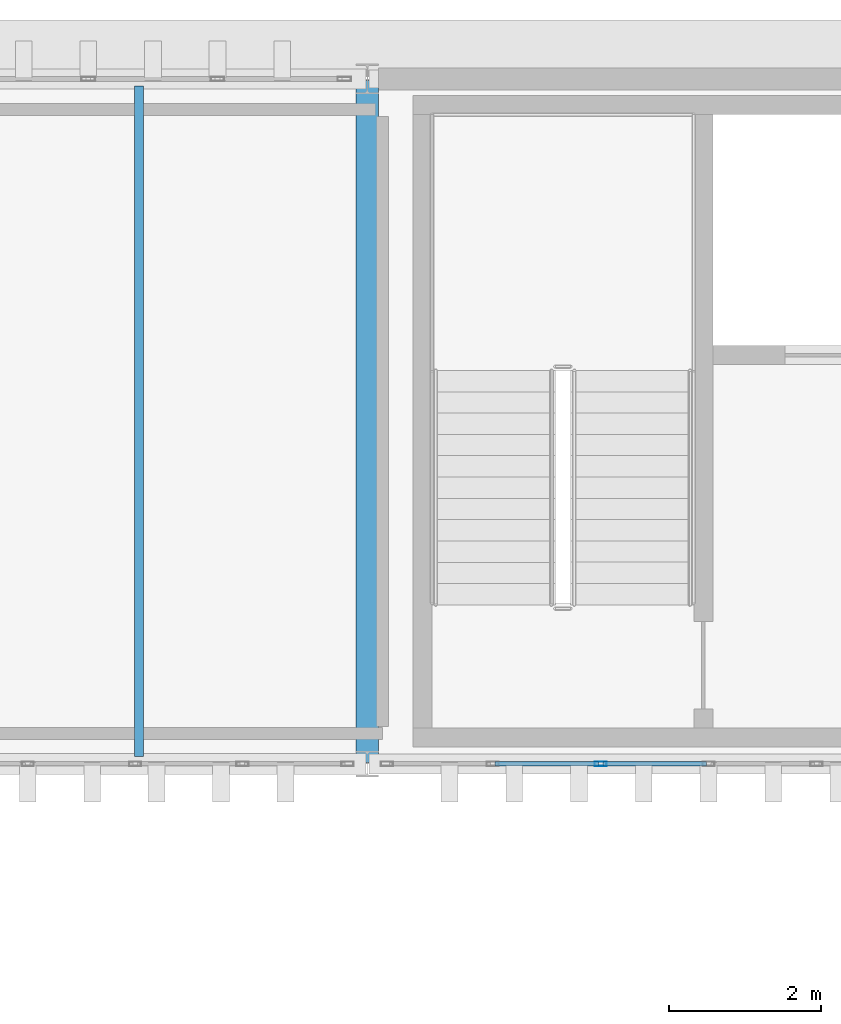
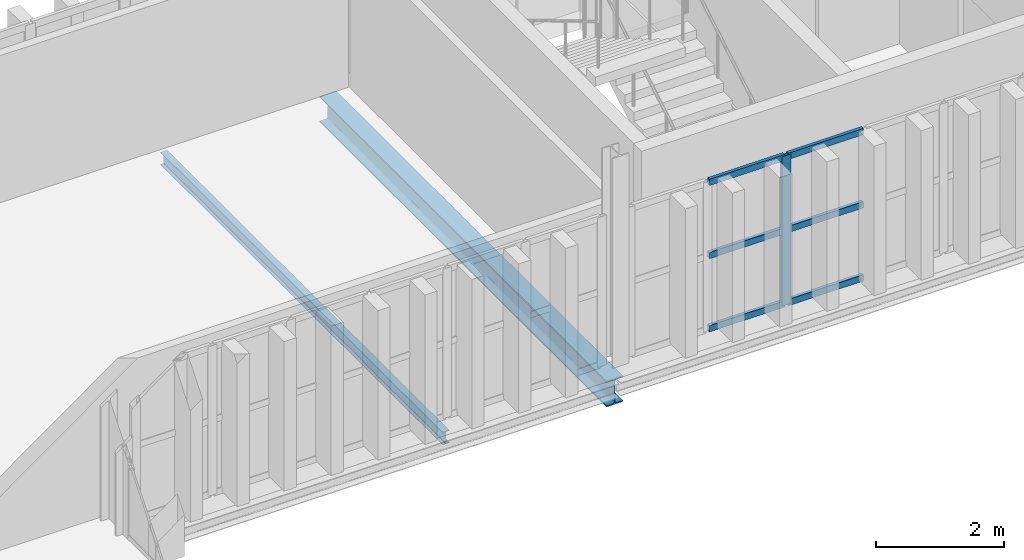
# One storey, part 58 of 102: 7 members, 2 beams, 1 element without a shape of its own.
"""IFC4 building model written with IfcOpenShell, lengths in metres."""

import ifcopenshell
import ifcopenshell.guid

model = None  # the IFC model being written
_history = None  # IfcOwnerHistory: only IFC2X3 demands one
_inside = {}  # id of a spatial element -> (the spatial element, [elements in it])
_under = {}  # id of a project, library or spatial element -> (it, [spatial elements below it])
_declared = {}  # id of a project -> (the project, [libraries it declares])
_typed = {}  # id of a type object -> (the type object, [elements of that type])
_made_of = {}  # id of a material, layer set ... -> (it, [elements and type objects made of it])


def new_model(schema):
    """Start an empty IFC model of exactly this schema.

    Asked for "IFC4X3", IfcOpenShell would pick the latest addendum, in which some entities
    have other attributes; the version numbers below select the first issue.
    IFC2X3 requires an IfcOwnerHistory on every rooted entity: one is made here for all.
    """
    global model, _history
    if schema == "IFC4X3":
        model = ifcopenshell.file(schema_version=(4, 3, 0, 0))
    else:
        model = ifcopenshell.file(schema=schema)
    _inside.clear()
    _under.clear()
    _declared.clear()
    _typed.clear()
    _made_of.clear()
    _history = None
    if model.schema == "IFC2X3":
        org = make("IfcOrganization", Name="unknown")
        user = make(
            "IfcPersonAndOrganization",
            ThePerson=make("IfcPerson", FamilyName="unknown"),
            TheOrganization=org,
        )
        app = make(
            "IfcApplication",
            ApplicationDeveloper=org,
            Version="unknown",
            ApplicationFullName="unknown",
            ApplicationIdentifier="unknown",
        )
        _history = make(
            "IfcOwnerHistory",
            OwningUser=user,
            OwningApplication=app,
            ChangeAction="ADDED",
            CreationDate=0,
        )
    return model


def make(cls, **values):
    """One entity of the class cls with the attributes given. An attribute that is None is left unset."""
    return model.create_entity(
        cls, **{name: value for name, value in values.items() if value is not None}
    )


def rooted(cls, **values):
    """An entity with a GlobalId (a new one), such as an element, a storey or a relation."""
    return make(cls, GlobalId=ifcopenshell.guid.new(), OwnerHistory=_history, **values)


def si_unit(unit_type, name, prefix=None):
    """IfcSIUnit, for example si_unit("LENGTHUNIT", "METRE", prefix="MILLI")."""
    return make("IfcSIUnit", UnitType=unit_type, Prefix=prefix, Name=name)


def assignment(units):
    """IfcUnitAssignment: the units of a project."""
    return None if units is None else make("IfcUnitAssignment", Units=units)


def point(xyz):
    """IfcCartesianPoint."""
    return None if xyz is None else make("IfcCartesianPoint", Coordinates=xyz)


def direction(xyz):
    """IfcDirection."""
    return None if xyz is None else make("IfcDirection", DirectionRatios=xyz)


def frame(location, z_axis=None, x_axis=None):
    """IfcAxis2Placement3D, a coordinate frame: its origin and axes. An axis left out is left unset."""
    return make(
        "IfcAxis2Placement3D",
        Location=point(location),
        Axis=direction(z_axis),
        RefDirection=direction(x_axis),
    )


def frame_2d(location, x_axis=None):
    """IfcAxis2Placement2D, a coordinate frame in the plane: its origin and x axis."""
    return make(
        "IfcAxis2Placement2D", Location=point(location), RefDirection=direction(x_axis)
    )


def origin():
    """The frame at (0, 0, 0) with its axes left unset."""
    return frame((0.0, 0.0, 0.0))


def origin_2d():
    """The frame at (0, 0) in the plane with its x axis left unset."""
    return frame_2d((0.0, 0.0))


def place(relative_to, where):
    """IfcLocalPlacement: puts the frame where relative to a parent placement (None: the world)."""
    return make(
        "IfcLocalPlacement", PlacementRelTo=relative_to, RelativePlacement=where
    )


def context(
    kind, dimensions, precision=None, world=None, true_north=None, identifier=None
):
    """IfcGeometricRepresentationContext, for example the 3D "Model" context."""
    return make(
        "IfcGeometricRepresentationContext",
        ContextIdentifier=identifier,
        ContextType=kind,
        CoordinateSpaceDimension=dimensions,
        Precision=precision,
        WorldCoordinateSystem=world,
        TrueNorth=true_north,
    )


def subcontext(parent, identifier, kind, view, scale=None):
    """IfcGeometricRepresentationSubContext, for example "Body" below "Model"."""
    return make(
        "IfcGeometricRepresentationSubContext",
        ContextIdentifier=identifier,
        ContextType=kind,
        ParentContext=parent,
        TargetScale=scale,
        TargetView=view,
    )


def project(units=None, contexts=None):
    """IfcProject with its units and contexts."""
    return rooted(
        "IfcProject",
        Name="project",
        RepresentationContexts=contexts,
        UnitsInContext=assignment(units),
    )


def spatial(cls, under=None, at=None, **own):
    """A site, building, storey or space (cls), placed at a placement, below another one or the project."""
    s = rooted(cls, ObjectPlacement=at, **own)
    if under is not None:
        _under.setdefault(under.id(), (under, []))[1].append(s)
    return s


def profile(cls, at=None, kind="AREA", **sizes):
    """A parametric profile (cls). Its sizes go by their IFC names, for example OverallWidth=200.0."""
    return make(cls, ProfileType=kind, Position=at, **sizes)


def hollow_rectangle(**sizes):
    """IfcRectangleHollowProfileDef."""
    return profile("IfcRectangleHollowProfileDef", **sizes)


def i_section(**sizes):
    """IfcIShapeProfileDef."""
    return profile("IfcIShapeProfileDef", **sizes)


def extrude(swept, where, along, depth):
    """IfcExtrudedAreaSolid: the profile swept, set in the frame where, extruded along a direction by depth."""
    return make(
        "IfcExtrudedAreaSolid",
        SweptArea=swept,
        Position=where,
        ExtrudedDirection=direction(along),
        Depth=depth,
    )


def shape(context_of_items, identifier, shape_type, items):
    """IfcShapeRepresentation: the items that make up one representation, for example the "Body"."""
    return make(
        "IfcShapeRepresentation",
        ContextOfItems=context_of_items,
        RepresentationIdentifier=identifier,
        RepresentationType=shape_type,
        Items=items,
    )


def material(Name=None, Category=None):
    """IfcMaterial."""
    return make("IfcMaterial", Name=Name, Category=Category)


def layer(
    of_material, thickness, ventilated=None, Name=None, Category=None, Priority=None
):
    """IfcMaterialLayer: one layer of a wall or slab, of a material (None: an air gap)."""
    return make(
        "IfcMaterialLayer",
        Material=of_material,
        LayerThickness=thickness,
        IsVentilated=ventilated,
        Name=Name,
        Category=Category,
        Priority=Priority,
    )


def layer_set(layers, Name=None):
    """IfcMaterialLayerSet."""
    return make("IfcMaterialLayerSet", MaterialLayers=layers, LayerSetName=Name)


def material_profile(
    of_material, cross_section, Name=None, Category=None, Priority=None
):
    """IfcMaterialProfile: a cross section and its material."""
    return make(
        "IfcMaterialProfile",
        Name=Name,
        Material=of_material,
        Profile=cross_section,
        Priority=Priority,
        Category=Category,
    )


def profile_set(profiles, Name=None, composite=None):
    """IfcMaterialProfileSet."""
    return make(
        "IfcMaterialProfileSet",
        Name=Name,
        MaterialProfiles=profiles,
        CompositeProfile=composite,
    )


def made_of(thing, what):
    """Note that an element or type object is made of a material, layer set ...; save() writes the relation."""
    if what is not None:
        _made_of.setdefault(what.id(), (what, []))[1].append(thing)
    return thing


def type_object(cls, material=None, **own):
    """A type object (cls), such as IfcWallType, which elements share."""
    return made_of(rooted(cls, **own), material)


def element(
    cls,
    number,
    at=None,
    inside=None,
    cuts=None,
    type_object=None,
    material=None,
    context=None,
    identifier="Body",
    shape_type=None,
    held_by="IfcProductDefinitionShape",
    body=None,
    shapes=None,
    **own,
):
    """One element of the class cls, such as IfcWall. Its Tag is "e" and its number.

    at: its placement. inside: the storey or other place that contains it. cuts: it is an
    opening in that element (IfcRelVoidsElement). A single representation is given by context,
    identifier, shape_type and body (its items); several are given by shapes. held_by: the class
    of the entity that holds the representations. save() writes the other relations.
    """
    e = rooted(cls, Tag="e%d" % number, ObjectPlacement=at, **own)
    if body is not None:
        shapes = [shape(context, identifier, shape_type, body)]
    if shapes is not None:
        e.Representation = make(held_by, Representations=shapes)
    if inside is not None:
        _inside.setdefault(inside.id(), (inside, []))[1].append(e)
    if cuts is not None:
        rooted(
            "IfcRelVoidsElement", RelatingBuildingElement=cuts, RelatedOpeningElement=e
        )
    if type_object is not None:
        _typed.setdefault(type_object.id(), (type_object, []))[1].append(e)
    return made_of(e, material)


def aggregate(whole, parts):
    """IfcRelAggregates: a whole, such as a stair, and the parts it consists of."""
    return rooted("IfcRelAggregates", RelatingObject=whole, RelatedObjects=parts)


def save(model, path):
    """Write the relations noted so far, then the file.

    IfcRelAggregates (storeys below a building ...), IfcRelContainedInSpatialStructure (elements
    in a storey), IfcRelDefinesByType, IfcRelAssociatesMaterial and IfcRelDeclares: one each for
    every whole, place, type object, material and project.
    """
    for whole, parts in _under.values():
        aggregate(whole, parts)
    for where, things in _inside.values():
        rooted(
            "IfcRelContainedInSpatialStructure",
            RelatedElements=things,
            RelatingStructure=where,
        )
    for kind, things in _typed.values():
        rooted("IfcRelDefinesByType", RelatedObjects=things, RelatingType=kind)
    for what, things in _made_of.values():
        rooted("IfcRelAssociatesMaterial", RelatedObjects=things, RelatingMaterial=what)
    for by, libraries in _declared.values():
        rooted("IfcRelDeclares", RelatingContext=by, RelatedDefinitions=libraries)
    model.write(path)


model = new_model("IFC4")

# Units and contexts
model_context = context("Model", 3, precision=1e-05, world=origin(), true_north=direction((0.0, 1.0)))
body_context = subcontext(model_context, "Body", "Model", "MODEL_VIEW")
ifc_project = project(units=[si_unit("LENGTHUNIT", "METRE"), si_unit("AREAUNIT", "SQUARE_METRE"), si_unit("VOLUMEUNIT", "CUBIC_METRE"), si_unit("PLANEANGLEUNIT", "RADIAN"), si_unit("MASSUNIT", "GRAM", prefix="KILO")], contexts=[model_context])

# Site, building, storey
site_placement = place(None, origin())
site = spatial("IfcSite", under=ifc_project, at=site_placement, CompositionType="ELEMENT")
building_placement = place(site_placement, origin())
building = spatial("IfcBuilding", under=site, at=building_placement, Name="Barlavento Convention Centre", CompositionType="ELEMENT")
storey_placement = place(building_placement, frame((0.0, 0.0, 22.800048828125)))
storey = spatial("IfcBuildingStorey", under=building, at=storey_placement, Name="L04", CompositionType="ELEMENT", Elevation=22.800048828125)

# Curtain wall, members
ifc_material_1 = material(Name="Powder-coated aluminium and Low-E glass", Category="aluminium")
ifc_layer = layer(ifc_material_1, 0.179931640625)
ifc_layer_set = layer_set([ifc_layer], Name="ARC-CW-PATIO-B")
curtain_wall_type = type_object("IfcCurtainWallType", Name="ARC-CW-PATIO-B", PredefinedType="NOTDEFINED", material=ifc_layer_set)
curtain_wall_placement = place(storey_placement, origin())
curtain_wall = element("IfcCurtainWall", 1, at=curtain_wall_placement, inside=storey, type_object=curtain_wall_type, Name="L04 unitised curtain wall CW12", PredefinedType="NOTDEFINED")
ifc_material_2 = material(Name="Powder-coated aluminium", Category="aluminium")
ifc_material_profile_1 = material_profile(ifc_material_2, hollow_rectangle(XDim=0.06005859375, YDim=0.159912109375, WallThickness=0.00390625, at=origin_2d()), Name="AL-MULL 60x160x4")
ifc_profile_set_1 = profile_set([ifc_material_profile_1], Name="Powder-coated aluminium")
member_type_1 = type_object("IfcMemberType", Name="ARC-CWM-60X160", PredefinedType="MULLION", material=ifc_profile_set_1)
member_1_placement = place(storey_placement, frame((147.066650390625, 90.0, 0.0), z_axis=(0.0, 0.0, 1.0), x_axis=(0.0, 1.0, 0.0)))
member_1 = element("IfcMember", 2, at=member_1_placement, type_object=member_type_1, Name="CW12 mullion 3", PredefinedType="MULLION", context=body_context, shape_type="SweptSolid", body=[
    extrude(hollow_rectangle(XDim=0.06005859375, YDim=0.159912109375, WallThickness=0.00390625, at=origin_2d()), origin(), (0.0, 0.0, 1.0), 2.849853515625),
])
ifc_material_profile_2 = material_profile(ifc_material_2, hollow_rectangle(XDim=0.06005859375, YDim=0.1201171875, WallThickness=0.00390625, at=origin_2d()), Name="AL-TRAN 60x120x4")
ifc_profile_set_2 = profile_set([ifc_material_profile_2], Name="Powder-coated aluminium")
member_type_2 = type_object("IfcMemberType", Name="ARC-CWT-60X120", PredefinedType="USERDEFINED", material=ifc_profile_set_2)
member_2_placement = place(storey_placement, frame((145.67822265625, 90.0, 0.030029296875), z_axis=(1.0, 0.0, 0.0), x_axis=(0.0, 1.0, 0.0)))
member_2 = element("IfcMember", 3, at=member_2_placement, type_object=member_type_2, Name="CW12 transom 2.1", ObjectType="TRANSOM", PredefinedType="USERDEFINED", context=body_context, shape_type="SweptSolid", body=[
    extrude(hollow_rectangle(XDim=0.06005859375, YDim=0.1201171875, WallThickness=0.00390625, at=origin_2d()), origin(), (0.0, 0.0, 1.0), 1.3583984375),
])
member_3_placement = place(storey_placement, frame((145.67822265625, 90.0, 1.425048828125), z_axis=(1.0, 0.0, 0.0), x_axis=(0.0, 1.0, 0.0)))
member_3 = element("IfcMember", 4, at=member_3_placement, type_object=member_type_2, Name="CW12 transom 2.2", ObjectType="TRANSOM", PredefinedType="USERDEFINED", context=body_context, shape_type="SweptSolid", body=[
    extrude(hollow_rectangle(XDim=0.06005859375, YDim=0.1201171875, WallThickness=0.00390625, at=origin_2d()), origin(), (0.0, 0.0, 1.0), 1.3583984375),
])
member_4_placement = place(storey_placement, frame((145.67822265625, 90.0, 2.820068359375), z_axis=(1.0, 0.0, 0.0), x_axis=(0.0, 1.0, 0.0)))
member_4 = element("IfcMember", 5, at=member_4_placement, type_object=member_type_2, Name="CW12 transom 2.3", ObjectType="TRANSOM", PredefinedType="USERDEFINED", context=body_context, shape_type="SweptSolid", body=[
    extrude(hollow_rectangle(XDim=0.06005859375, YDim=0.1201171875, WallThickness=0.00390625, at=origin_2d()), origin(), (0.0, 0.0, 1.0), 1.3583984375),
])
member_5_placement = place(storey_placement, frame((147.0966796875, 90.0, 0.030029296875), z_axis=(1.0, 0.0, 0.0), x_axis=(0.0, 1.0, 0.0)))
member_5 = element("IfcMember", 6, at=member_5_placement, type_object=member_type_2, Name="CW12 transom 3.1", ObjectType="TRANSOM", PredefinedType="USERDEFINED", context=body_context, shape_type="SweptSolid", body=[
    extrude(hollow_rectangle(XDim=0.06005859375, YDim=0.1201171875, WallThickness=0.00390625, at=origin_2d()), origin(), (0.0, 0.0, 1.0), 1.3583984375),
])
member_6_placement = place(storey_placement, frame((147.0966796875, 90.0, 1.425048828125), z_axis=(1.0, 0.0, 0.0), x_axis=(0.0, 1.0, 0.0)))
member_6 = element("IfcMember", 7, at=member_6_placement, type_object=member_type_2, Name="CW12 transom 3.2", ObjectType="TRANSOM", PredefinedType="USERDEFINED", context=body_context, shape_type="SweptSolid", body=[
    extrude(hollow_rectangle(XDim=0.06005859375, YDim=0.1201171875, WallThickness=0.00390625, at=origin_2d()), origin(), (0.0, 0.0, 1.0), 1.3583984375),
])
member_7_placement = place(storey_placement, frame((147.0966796875, 90.0, 2.820068359375), z_axis=(1.0, 0.0, 0.0), x_axis=(0.0, 1.0, 0.0)))
member_7 = element("IfcMember", 8, at=member_7_placement, type_object=member_type_2, Name="CW12 transom 3.3", ObjectType="TRANSOM", PredefinedType="USERDEFINED", context=body_context, shape_type="SweptSolid", body=[
    extrude(hollow_rectangle(XDim=0.06005859375, YDim=0.1201171875, WallThickness=0.00390625, at=origin_2d()), origin(), (0.0, 0.0, 1.0), 1.3583984375),
])
aggregate(curtain_wall, [member_1, member_2, member_3, member_4, member_5, member_6, member_7])

# Beams
ifc_material_3 = material(Name="Steel S355", Category="steel")
ifc_material_profile_3 = material_profile(ifc_material_3, i_section(OverallWidth=0.1201171875, OverallDepth=0.239990234375, WebThickness=0.006103515625, FlangeThickness=0.009765625, FilletRadius=0.014892578125, at=origin_2d()), Name="IPE 240")
ifc_profile_set_3 = profile_set([ifc_material_profile_3], Name="Steel S355")
beam_type_1 = type_object("IfcBeamType", Name="STR-BM-JST-IPE240", PredefinedType="JOIST", material=ifc_profile_set_3)
beam_1_placement = place(storey_placement, frame((141.0, 90.094970703125, -0.47998046875), z_axis=(0.0, 1.0, 0.0), x_axis=(-1.0, 0.0, 0.0)))
element("IfcBeam", 9, at=beam_1_placement, inside=storey, type_object=beam_type_1, Name="L04 composite floor joist SJ09", PredefinedType="JOIST", context=body_context, shape_type="SweptSolid", body=[
    extrude(i_section(OverallWidth=0.1201171875, OverallDepth=0.239990234375, WebThickness=0.006103515625, FlangeThickness=0.009765625, FilletRadius=0.014892578125, at=origin_2d()), origin(), (0.0, 0.0, 1.0), 8.81005859375),
])
ifc_material_profile_4 = material_profile(ifc_material_3, i_section(OverallWidth=0.300048828125, OverallDepth=0.489990234375, WebThickness=0.011962890625, FlangeThickness=0.02294921875, FilletRadius=0.027099609375, at=origin_2d()), Name="HEA 500")
ifc_profile_set_4 = profile_set([ifc_material_profile_4], Name="Steel S355")
beam_type_2 = type_object("IfcBeamType", Name="STR-BM-PRI-HEA500", PredefinedType="BEAM", material=ifc_profile_set_4)
beam_2_placement = place(storey_placement, frame((144.0, 90.02001953125, -0.60498046875), z_axis=(0.0, 1.0, 0.0), x_axis=(-1.0, 0.0, 0.0)))
element("IfcBeam", 10, at=beam_2_placement, inside=storey, type_object=beam_type_2, Name="L04 grid girder BG20", PredefinedType="BEAM", context=body_context, shape_type="SweptSolid", body=[
    extrude(i_section(OverallWidth=0.300048828125, OverallDepth=0.489990234375, WebThickness=0.011962890625, FlangeThickness=0.02294921875, FilletRadius=0.027099609375, at=origin_2d()), origin(), (0.0, 0.0, 1.0), 8.9599609375),
])

save(model, "model.ifc")
